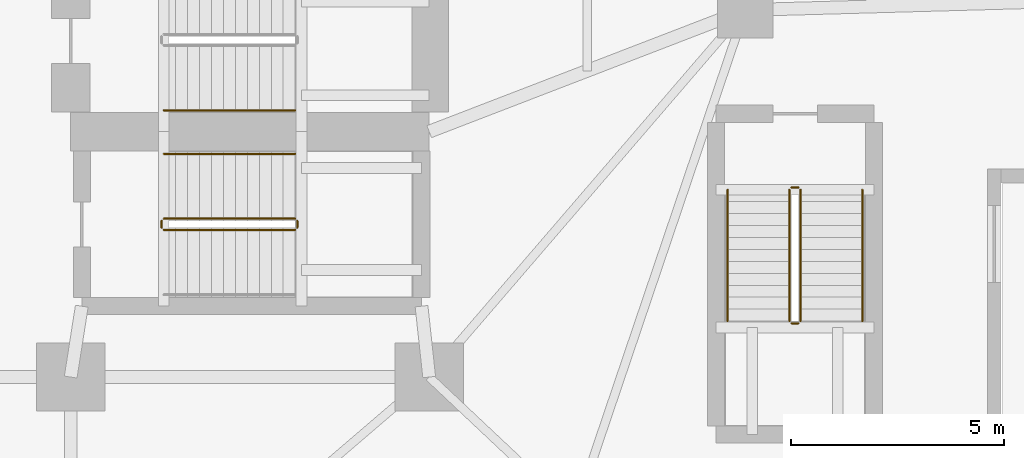
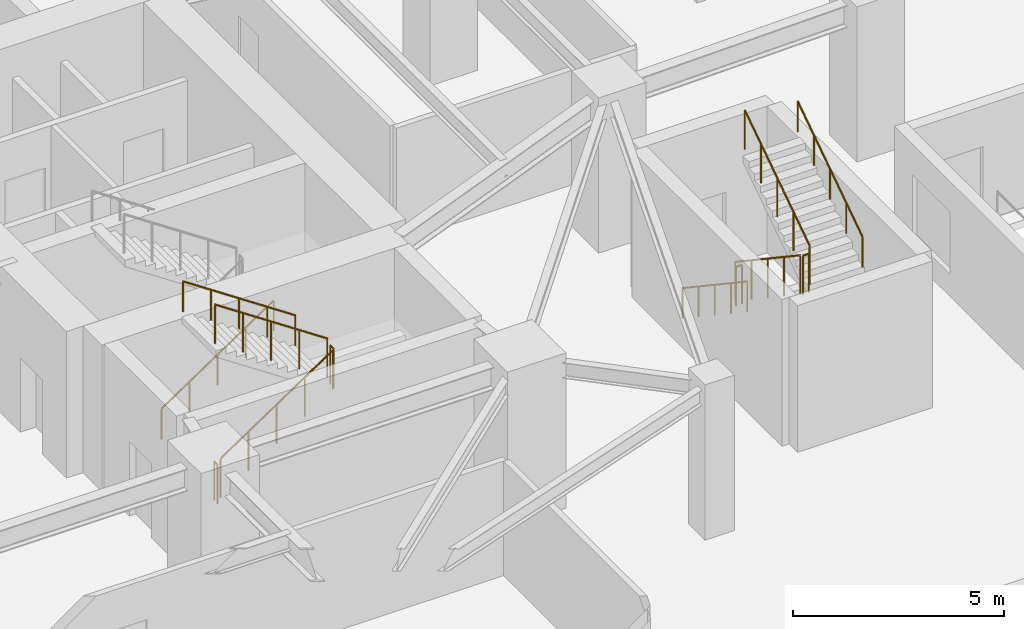
# One storey, part 20 of 24: 12 railings.
"""IFC4 building model written with IfcOpenShell, lengths in metres."""

from ifc_helpers import new_model, si_unit, direction, frame, origin, origin_2d, place, context, subcontext, project, spatial, circle, extrude, material, type_object, element, save


model = new_model("IFC4")

# Units and contexts
model_context = context("Model", 3, precision=1e-05, world=origin(), true_north=direction((0.0, 1.0)))
body_context = subcontext(model_context, "Body", "Model", "MODEL_VIEW")
ifc_project = project(units=[si_unit("LENGTHUNIT", "METRE"), si_unit("AREAUNIT", "SQUARE_METRE"), si_unit("VOLUMEUNIT", "CUBIC_METRE"), si_unit("PLANEANGLEUNIT", "RADIAN"), si_unit("MASSUNIT", "GRAM", prefix="KILO")], contexts=[model_context])

# Site, building, storey
site_placement = place(None, origin())
site = spatial("IfcSite", under=ifc_project, at=site_placement, CompositionType="ELEMENT")
building_placement = place(site_placement, origin())
building = spatial("IfcBuilding", under=site, at=building_placement, Name="Qingluan Cross Belvedere", CompositionType="ELEMENT")
storey_placement = place(building_placement, frame((0.0, 0.0, 14.699951171875)))
storey = spatial("IfcBuildingStorey", under=building, at=storey_placement, Name="L04", CompositionType="ELEMENT", Elevation=14.699951171875)

# Railings
ifc_material_1 = material(Name="Brushed stainless steel tubular handrail", Category="steel")
railing_type_1 = type_object("IfcRailingType", Name="StairPitchHandrail_900", PredefinedType="HANDRAIL", material=ifc_material_1)
railing_1_placement = place(storey_placement, frame((6.179931640625, -6.35009765625, 0.1875)))
element("IfcRailing", 1, at=railing_1_placement, inside=storey, type_object=railing_type_1, Name="L04 ST2 stair handrail 1", PredefinedType="HANDRAIL", context=body_context, shape_type="SweptSolid", body=[
    extrude(circle(Radius=0.02392578125, at=origin_2d()), frame((0.0, 0.0, 0.8759765625), z_axis=(0.830913701846, 0.0, 0.55640131208), x_axis=(0.0, 1.0, 0.0)), (0.0, 0.0, 1.0), 3.706787109375),
    extrude(circle(Radius=0.02099609375, at=origin_2d()), origin(), (0.0, 0.0, 1.0), 0.851806640625),
    extrude(circle(Radius=0.02099609375, at=origin_2d()), frame((0.77001953125, 0.0, 0.515625)), (0.0, 0.0, 1.0), 0.851806640625),
    extrude(circle(Radius=0.02099609375, at=origin_2d()), frame((1.5400390625, 0.0, 1.03125)), (0.0, 0.0, 1.0), 0.851806640625),
    extrude(circle(Radius=0.02099609375, at=origin_2d()), frame((2.31005859375, 0.0, 1.546875)), (0.0, 0.0, 1.0), 0.851806640625),
    extrude(circle(Radius=0.02099609375, at=origin_2d()), frame((3.080078125, 0.0, 2.0625)), (0.0, 0.0, 1.0), 0.851806640625),
])
railing_2_placement = place(storey_placement, frame((9.260009765625, -7.3701171875, 2.4375)))
element("IfcRailing", 2, at=railing_2_placement, inside=storey, type_object=railing_type_1, Name="L04 ST4 stair handrail 2", PredefinedType="HANDRAIL", context=body_context, shape_type="SweptSolid", body=[
    extrude(circle(Radius=0.02392578125, at=origin_2d()), frame((0.0, 0.0, 0.8759765625), z_axis=(-0.830913701846, 0.0, 0.55640131208), x_axis=(0.0, -1.0, 0.0)), (0.0, 0.0, 1.0), 3.706787109375),
    extrude(circle(Radius=0.02099609375, at=origin_2d()), origin(), (0.0, 0.0, 1.0), 0.851806640625),
    extrude(circle(Radius=0.02099609375, at=origin_2d()), frame((-0.77001953125, 0.0, 0.515625)), (0.0, 0.0, 1.0), 0.851806640625),
    extrude(circle(Radius=0.02099609375, at=origin_2d()), frame((-1.5400390625, 0.0, 1.03125)), (0.0, 0.0, 1.0), 0.851806640625),
    extrude(circle(Radius=0.02099609375, at=origin_2d()), frame((-2.31005859375, 0.0, 1.546875)), (0.0, 0.0, 1.0), 0.851806640625),
    extrude(circle(Radius=0.02099609375, at=origin_2d()), frame((-3.080078125, 0.0, 2.0625)), (0.0, 0.0, 1.0), 0.851806640625),
])
railing_3_placement = place(storey_placement, frame((19.389892578125, -8.2099609375, 0.1875)))
element("IfcRailing", 3, at=railing_3_placement, inside=storey, type_object=railing_type_1, Name="L04 ST6 stair handrail 1", PredefinedType="HANDRAIL", context=body_context, shape_type="SweptSolid", body=[
    extrude(circle(Radius=0.02392578125, at=origin_2d()), frame((0.0, 0.0, 0.8759765625), z_axis=(0.0, -0.830913701846, 0.55640131208), x_axis=(1.0, 0.0, 0.0)), (0.0, 0.0, 1.0), 3.706787109375),
    extrude(circle(Radius=0.02099609375, at=origin_2d()), origin(), (0.0, 0.0, 1.0), 0.851806640625),
    extrude(circle(Radius=0.02099609375, at=origin_2d()), frame((0.0, -0.77001953125, 0.515625)), (0.0, 0.0, 1.0), 0.851806640625),
    extrude(circle(Radius=0.02099609375, at=origin_2d()), frame((0.0, -1.5400390625, 1.03125)), (0.0, 0.0, 1.0), 0.851806640625),
    extrude(circle(Radius=0.02099609375, at=origin_2d()), frame((0.0, -2.31005859375, 1.546875)), (0.0, 0.0, 1.0), 0.851806640625),
    extrude(circle(Radius=0.02099609375, at=origin_2d()), frame((0.0, -3.080078125, 2.0625)), (0.0, 0.0, 1.0), 0.851806640625),
])
railing_4_placement = place(storey_placement, frame((22.550048828125, -11.2900390625, 2.4375)))
element("IfcRailing", 4, at=railing_4_placement, inside=storey, type_object=railing_type_1, Name="L04 ST6 stair handrail 2", PredefinedType="HANDRAIL", context=body_context, shape_type="SweptSolid", body=[
    extrude(circle(Radius=0.02392578125, at=origin_2d()), frame((0.0, 0.0, 0.8759765625), z_axis=(0.0, 0.830913701846, 0.55640131208), x_axis=(-1.0, 0.0, 0.0)), (0.0, 0.0, 1.0), 3.706787109375),
    extrude(circle(Radius=0.02099609375, at=origin_2d()), origin(), (0.0, 0.0, 1.0), 0.851806640625),
    extrude(circle(Radius=0.02099609375, at=origin_2d()), frame((0.0, 0.77001953125, 0.515625)), (0.0, 0.0, 1.0), 0.851806640625),
    extrude(circle(Radius=0.02099609375, at=origin_2d()), frame((0.0, 1.5400390625, 1.03125)), (0.0, 0.0, 1.0), 0.851806640625),
    extrude(circle(Radius=0.02099609375, at=origin_2d()), frame((0.0, 2.31005859375, 1.546875)), (0.0, 0.0, 1.0), 0.851806640625),
    extrude(circle(Radius=0.02099609375, at=origin_2d()), frame((0.0, 3.080078125, 2.0625)), (0.0, 0.0, 1.0), 0.851806640625),
])
ifc_material_2 = material(Name="Painted steel stair well guard", Category="steel")
railing_type_2 = type_object("IfcRailingType", Name="StairWellGuard_1150", PredefinedType="BALUSTRADE", material=ifc_material_2)
railing_5_placement = place(storey_placement, frame((6.179931640625, -9.14990234375, 0.1875)))
element("IfcRailing", 5, at=railing_5_placement, inside=storey, type_object=railing_type_2, Name="L04 ST4 stair guard 1", PredefinedType="BALUSTRADE", context=body_context, shape_type="SweptSolid", body=[
    extrude(circle(Radius=0.02392578125, at=origin_2d()), frame((0.0, 0.0, 1.1259765625), z_axis=(0.830913701846, 0.0, 0.55640131208), x_axis=(0.0, 1.0, 0.0)), (0.0, 0.0, 1.0), 3.706787109375),
    extrude(circle(Radius=0.02099609375, at=origin_2d()), origin(), (0.0, 0.0, 1.0), 1.101806640625),
    extrude(circle(Radius=0.02099609375, at=origin_2d()), frame((0.77001953125, 0.0, 0.515625)), (0.0, 0.0, 1.0), 1.101806640625),
    extrude(circle(Radius=0.02099609375, at=origin_2d()), frame((1.5400390625, 0.0, 1.03125)), (0.0, 0.0, 1.0), 1.101806640625),
    extrude(circle(Radius=0.02099609375, at=origin_2d()), frame((2.31005859375, 0.0, 1.546875)), (0.0, 0.0, 1.0), 1.101806640625),
    extrude(circle(Radius=0.02099609375, at=origin_2d()), frame((3.080078125, 0.0, 2.0625)), (0.0, 0.0, 1.0), 1.101806640625),
])
railing_6_placement = place(storey_placement, frame((9.31005859375, -9.10009765625, 2.25)))
element("IfcRailing", 6, at=railing_6_placement, inside=storey, type_object=railing_type_2, Name="L04 ST4 stair guard 2", PredefinedType="BALUSTRADE", context=body_context, shape_type="SweptSolid", body=[
    extrude(circle(Radius=0.02392578125, at=origin_2d()), frame((0.0, 0.0, 1.1259765625), z_axis=(0.0, 1.0, 0.0), x_axis=(-1.0, 0.0, 0.0)), (0.0, 0.0, 1.0), 0.16015625),
    extrude(circle(Radius=0.02099609375, at=origin_2d()), origin(), (0.0, 0.0, 1.0), 1.101806640625),
    extrude(circle(Radius=0.02099609375, at=origin_2d()), frame((0.0, 0.16015625, 0.0)), (0.0, 0.0, 1.0), 1.101806640625),
])
railing_7_placement = place(storey_placement, frame((9.260009765625, -8.889892578125, 2.4375)))
element("IfcRailing", 7, at=railing_7_placement, inside=storey, type_object=railing_type_2, Name="L04 ST4 stair guard 3", PredefinedType="BALUSTRADE", context=body_context, shape_type="SweptSolid", body=[
    extrude(circle(Radius=0.02392578125, at=origin_2d()), frame((0.0, 0.0, 1.1259765625), z_axis=(-0.830913701846, 0.0, 0.55640131208), x_axis=(0.0, -1.0, 0.0)), (0.0, 0.0, 1.0), 3.706787109375),
    extrude(circle(Radius=0.02099609375, at=origin_2d()), origin(), (0.0, 0.0, 1.0), 1.101806640625),
    extrude(circle(Radius=0.02099609375, at=origin_2d()), frame((-0.77001953125, 0.0, 0.515625)), (0.0, 0.0, 1.0), 1.101806640625),
    extrude(circle(Radius=0.02099609375, at=origin_2d()), frame((-1.5400390625, 0.0, 1.03125)), (0.0, 0.0, 1.0), 1.101806640625),
    extrude(circle(Radius=0.02099609375, at=origin_2d()), frame((-2.31005859375, 0.0, 1.546875)), (0.0, 0.0, 1.0), 1.101806640625),
    extrude(circle(Radius=0.02099609375, at=origin_2d()), frame((-3.080078125, 0.0, 2.0625)), (0.0, 0.0, 1.0), 1.101806640625),
])
railing_8_placement = place(storey_placement, frame((6.1298828125, -9.10009765625, 0.0)))
element("IfcRailing", 8, at=railing_8_placement, inside=storey, type_object=railing_type_2, Name="L04 ST4 stair guard 4", PredefinedType="BALUSTRADE", context=body_context, shape_type="SweptSolid", body=[
    extrude(circle(Radius=0.02392578125, at=origin_2d()), frame((0.0, 0.0, 1.1259765625), z_axis=(0.0, 1.0, 0.0), x_axis=(-1.0, 0.0, 0.0)), (0.0, 0.0, 1.0), 0.16015625),
    extrude(circle(Radius=0.02099609375, at=origin_2d()), origin(), (0.0, 0.0, 1.0), 1.101806640625),
    extrude(circle(Radius=0.02099609375, at=origin_2d()), frame((0.0, 0.16015625, 0.0)), (0.0, 0.0, 1.0), 1.101806640625),
])
railing_9_placement = place(storey_placement, frame((20.840087890625, -8.2099609375, 0.1875)))
element("IfcRailing", 9, at=railing_9_placement, inside=storey, type_object=railing_type_2, Name="L04 ST6 stair guard 1", PredefinedType="BALUSTRADE", context=body_context, shape_type="SweptSolid", body=[
    extrude(circle(Radius=0.02392578125, at=origin_2d()), frame((0.0, 0.0, 1.1259765625), z_axis=(0.0, -0.830913701846, 0.55640131208), x_axis=(1.0, 0.0, 0.0)), (0.0, 0.0, 1.0), 3.706787109375),
    extrude(circle(Radius=0.02099609375, at=origin_2d()), origin(), (0.0, 0.0, 1.0), 1.101806640625),
    extrude(circle(Radius=0.02099609375, at=origin_2d()), frame((0.0, -0.77001953125, 0.515625)), (0.0, 0.0, 1.0), 1.101806640625),
    extrude(circle(Radius=0.02099609375, at=origin_2d()), frame((0.0, -1.5400390625, 1.03125)), (0.0, 0.0, 1.0), 1.101806640625),
    extrude(circle(Radius=0.02099609375, at=origin_2d()), frame((0.0, -2.31005859375, 1.546875)), (0.0, 0.0, 1.0), 1.101806640625),
    extrude(circle(Radius=0.02099609375, at=origin_2d()), frame((0.0, -3.080078125, 2.0625)), (0.0, 0.0, 1.0), 1.101806640625),
])
railing_10_placement = place(storey_placement, frame((20.889892578125, -11.340087890625, 2.25)))
element("IfcRailing", 10, at=railing_10_placement, inside=storey, type_object=railing_type_2, Name="L04 ST6 stair guard 2", PredefinedType="BALUSTRADE", context=body_context, shape_type="SweptSolid", body=[
    extrude(circle(Radius=0.02392578125, at=origin_2d()), frame((0.0, 0.0, 1.1259765625), z_axis=(1.0, 0.0, 0.0), x_axis=(0.0, 1.0, 0.0)), (0.0, 0.0, 1.0), 0.16015625),
    extrude(circle(Radius=0.02099609375, at=origin_2d()), origin(), (0.0, 0.0, 1.0), 1.101806640625),
    extrude(circle(Radius=0.02099609375, at=origin_2d()), frame((0.16015625, 0.0, 0.0)), (0.0, 0.0, 1.0), 1.101806640625),
])
railing_11_placement = place(storey_placement, frame((21.10009765625, -11.2900390625, 2.4375)))
element("IfcRailing", 11, at=railing_11_placement, inside=storey, type_object=railing_type_2, Name="L04 ST6 stair guard 3", PredefinedType="BALUSTRADE", context=body_context, shape_type="SweptSolid", body=[
    extrude(circle(Radius=0.02392578125, at=origin_2d()), frame((0.0, 0.0, 1.1259765625), z_axis=(0.0, 0.830913701846, 0.55640131208), x_axis=(-1.0, 0.0, 0.0)), (0.0, 0.0, 1.0), 3.706787109375),
    extrude(circle(Radius=0.02099609375, at=origin_2d()), origin(), (0.0, 0.0, 1.0), 1.101806640625),
    extrude(circle(Radius=0.02099609375, at=origin_2d()), frame((0.0, 0.77001953125, 0.515625)), (0.0, 0.0, 1.0), 1.101806640625),
    extrude(circle(Radius=0.02099609375, at=origin_2d()), frame((0.0, 1.5400390625, 1.03125)), (0.0, 0.0, 1.0), 1.101806640625),
    extrude(circle(Radius=0.02099609375, at=origin_2d()), frame((0.0, 2.31005859375, 1.546875)), (0.0, 0.0, 1.0), 1.101806640625),
    extrude(circle(Radius=0.02099609375, at=origin_2d()), frame((0.0, 3.080078125, 2.0625)), (0.0, 0.0, 1.0), 1.101806640625),
])
railing_12_placement = place(storey_placement, frame((20.889892578125, -8.159912109375, 0.0)))
element("IfcRailing", 12, at=railing_12_placement, inside=storey, type_object=railing_type_2, Name="L04 ST6 stair guard 4", PredefinedType="BALUSTRADE", context=body_context, shape_type="SweptSolid", body=[
    extrude(circle(Radius=0.02392578125, at=origin_2d()), frame((0.0, 0.0, 1.1259765625), z_axis=(1.0, 0.0, 0.0), x_axis=(0.0, 1.0, 0.0)), (0.0, 0.0, 1.0), 0.16015625),
    extrude(circle(Radius=0.02099609375, at=origin_2d()), origin(), (0.0, 0.0, 1.0), 1.101806640625),
    extrude(circle(Radius=0.02099609375, at=origin_2d()), frame((0.16015625, 0.0, 0.0)), (0.0, 0.0, 1.0), 1.101806640625),
])

save(model, "model.ifc")
